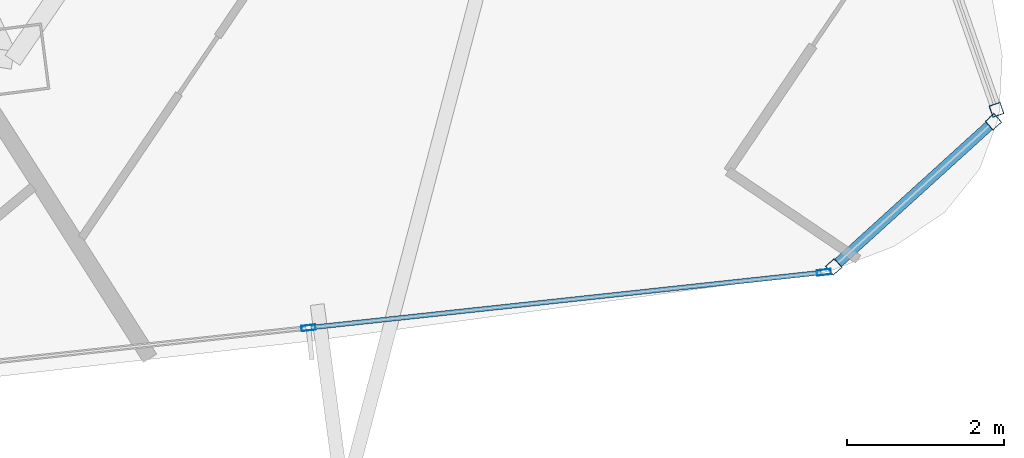
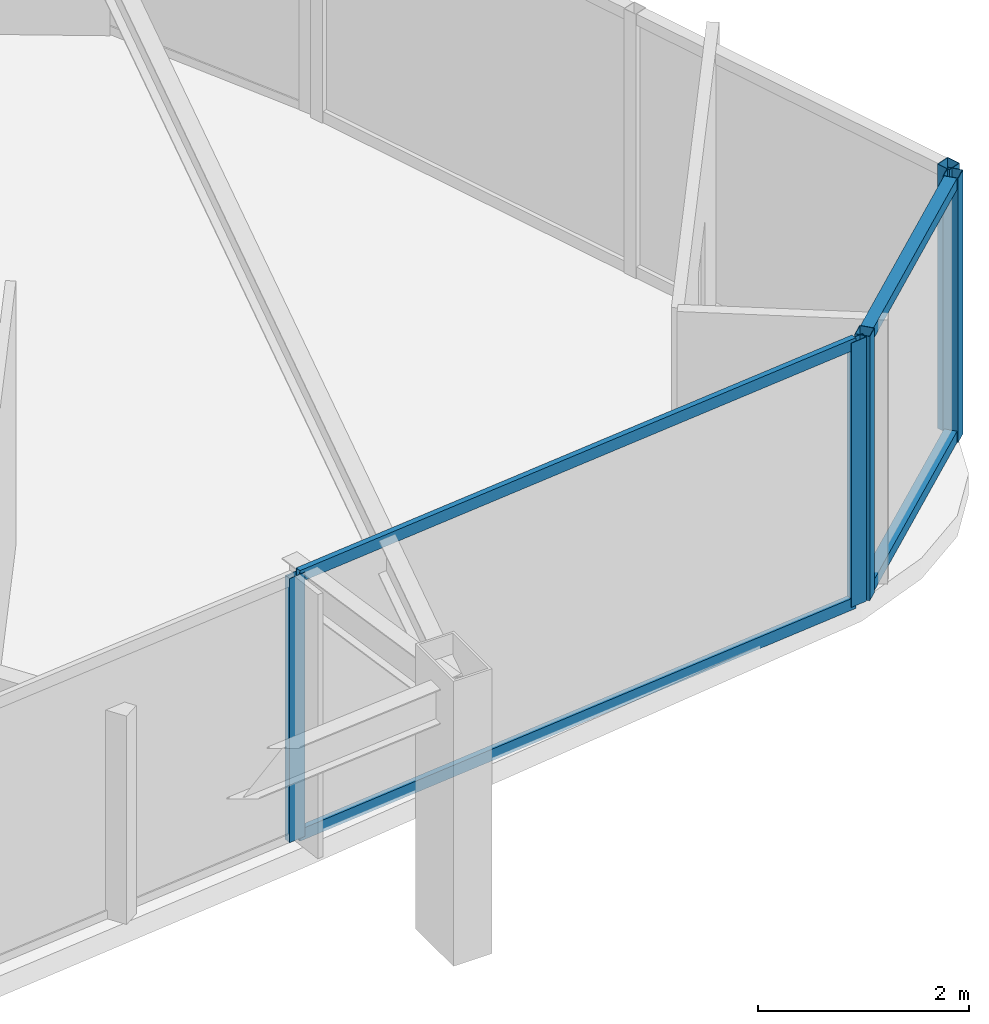
# One storey, part 16 of 38: 9 members, 3 elements without a shape of their own.
"""IFC4 building model written with IfcOpenShell, lengths in metres."""

from ifc_helpers import new_model, si_unit, direction, frame, origin, origin_2d, place, context, subcontext, project, spatial, hollow_rectangle, extrude, material, layer, layer_set, material_profile, profile_set, type_object, element, aggregate, save


model = new_model("IFC4")

# Units and contexts
model_context = context("Model", 3, precision=1e-05, world=origin(), true_north=direction((0.0, 1.0)))
body_context = subcontext(model_context, "Body", "Model", "MODEL_VIEW")
ifc_project = project(units=[si_unit("LENGTHUNIT", "METRE"), si_unit("AREAUNIT", "SQUARE_METRE"), si_unit("VOLUMEUNIT", "CUBIC_METRE"), si_unit("PLANEANGLEUNIT", "RADIAN"), si_unit("MASSUNIT", "GRAM", prefix="KILO")], contexts=[model_context])

# Site, building, storey
site_placement = place(None, origin())
site = spatial("IfcSite", under=ifc_project, at=site_placement, CompositionType="ELEMENT")
building_placement = place(site_placement, origin())
building = spatial("IfcBuilding", under=site, at=building_placement, Name="Orvanel Arch Residences", CompositionType="ELEMENT")
storey_placement = place(building_placement, frame((0.0, 0.0, 46.699951171875)))
storey = spatial("IfcBuildingStorey", under=building, at=storey_placement, Name="L12", CompositionType="ELEMENT", Elevation=46.699951171875)

# Curtain wall, members
ifc_material = material(Name="Bronze-anodised aluminium AA6063-T6", Category="aluminium")
ifc_layer_1 = layer(ifc_material, 0.18994140625)
ifc_layer_set_1 = layer_set([ifc_layer_1], Name="Bronze-anodised aluminium AA6063-T6")
curtain_wall_type_1 = type_object("IfcCurtainWallType", Name="CW5-CRN-SYS", PredefinedType="NOTDEFINED", material=ifc_layer_set_1)
curtain_wall_1_placement = place(storey_placement, origin())
curtain_wall_1 = element("IfcCurtainWall", 1, at=curtain_wall_1_placement, inside=storey, type_object=curtain_wall_type_1, Name="L12 CW5-CRN-SYS Unitised Curtain Wall", PredefinedType="NOTDEFINED")
ifc_material_profile_1 = material_profile(ifc_material, hollow_rectangle(XDim=0.14990234375, YDim=0.14990234375, WallThickness=0.0048828125, at=origin_2d()), Name="ALU150x150x5")
ifc_profile_set_1 = profile_set([ifc_material_profile_1], Name="Bronze-anodised aluminium AA6063-T6")
member_type_1 = type_object("IfcMemberType", Name="MUL-150x150", PredefinedType="MULLION", material=ifc_profile_set_1)
member_1_placement = place(storey_placement, frame((59.515625, 3.70849609375, 0.0), z_axis=(0.0, 0.0, 1.0), x_axis=(-0.672294791472, 0.740283535788, 0.0)))
member_1 = element("IfcMember", 2, at=member_1_placement, type_object=member_type_1, Name="CW-S5 mullion 1", PredefinedType="MULLION", context=body_context, shape_type="SweptSolid", body=[
    extrude(hollow_rectangle(XDim=0.14990234375, YDim=0.14990234375, WallThickness=0.0048828125, at=origin_2d()), origin(), (0.0, 0.0, 1.0), 3.06005859375),
])
member_2_placement = place(storey_placement, frame((61.549560546875, 5.5556640625, 0.0), z_axis=(0.0, 0.0, 1.0), x_axis=(-0.672294791472, 0.740283535788, 0.0)))
member_2 = element("IfcMember", 3, at=member_2_placement, type_object=member_type_1, Name="CW-S5 mullion 2", PredefinedType="MULLION", context=body_context, shape_type="SweptSolid", body=[
    extrude(hollow_rectangle(XDim=0.14990234375, YDim=0.14990234375, WallThickness=0.0048828125, at=origin_2d()), origin(), (0.0, 0.0, 1.0), 3.06005859375),
])

# Curtain wall, member
curtain_wall_2_placement = place(storey_placement, origin())
curtain_wall_2 = element("IfcCurtainWall", 4, at=curtain_wall_2_placement, inside=storey, type_object=curtain_wall_type_1, Name="L12 CW5-CRN-SYS Unitised Curtain Wall", PredefinedType="NOTDEFINED")
member_3_placement = place(storey_placement, frame((61.58837890625, 5.708740234375, 0.0), z_axis=(0.0, 0.0, 1.0), x_axis=(-0.944601133748, -0.328220502288, 0.0)))
member_3 = element("IfcMember", 5, at=member_3_placement, type_object=member_type_1, Name="CW-S5 mullion 1", PredefinedType="MULLION", context=body_context, shape_type="SweptSolid", body=[
    extrude(hollow_rectangle(XDim=0.14990234375, YDim=0.14990234375, WallThickness=0.0048828125, at=origin_2d()), origin(), (0.0, 0.0, 1.0), 3.06005859375),
])
aggregate(curtain_wall_2, [member_3])

# Curtain wall, members
ifc_layer_2 = layer(ifc_material, 0.179931640625)
ifc_layer_set_2 = layer_set([ifc_layer_2], Name="Bronze-anodised aluminium AA6063-T6")
curtain_wall_type_2 = type_object("IfcCurtainWallType", Name="CW2-LOW-SYS", PredefinedType="NOTDEFINED", material=ifc_layer_set_2)
curtain_wall_3_placement = place(storey_placement, origin())
curtain_wall_3 = element("IfcCurtainWall", 6, at=curtain_wall_3_placement, inside=storey, type_object=curtain_wall_type_2, Name="L12 CW2-LOW-SYS Unitised Curtain Wall", PredefinedType="NOTDEFINED")
ifc_material_profile_2 = material_profile(ifc_material, hollow_rectangle(XDim=0.070068359375, YDim=0.179931640625, WallThickness=0.00439453125, at=origin_2d()), Name="ALU180x70x4.5")
ifc_profile_set_2 = profile_set([ifc_material_profile_2], Name="Bronze-anodised aluminium AA6063-T6")
member_type_2 = type_object("IfcMemberType", Name="MUL-180x70", PredefinedType="MULLION", material=ifc_profile_set_2)
member_4_placement = place(storey_placement, frame((52.826904296875, 2.931884765625, 0.0), z_axis=(0.0, 0.0, 1.0), x_axis=(-0.107139659052, 0.994243980851, 0.0)))
member_4 = element("IfcMember", 7, at=member_4_placement, type_object=member_type_2, Name="CW-S2 mullion 3", PredefinedType="MULLION", context=body_context, shape_type="SweptSolid", body=[
    extrude(hollow_rectangle(XDim=0.070068359375, YDim=0.179931640625, WallThickness=0.00439453125, at=origin_2d()), origin(), (0.0, 0.0, 1.0), 3.06005859375),
])
member_5_placement = place(storey_placement, frame((59.39013671875, 3.63916015625, 0.0), z_axis=(0.0, 0.0, 1.0), x_axis=(-0.107139659052, 0.994243980851, 0.0)))
member_5 = element("IfcMember", 8, at=member_5_placement, type_object=member_type_2, Name="CW-S2 mullion 4", PredefinedType="MULLION", context=body_context, shape_type="SweptSolid", body=[
    extrude(hollow_rectangle(XDim=0.070068359375, YDim=0.179931640625, WallThickness=0.00439453125, at=origin_2d()), origin(), (0.0, 0.0, 1.0), 3.06005859375),
])

# Member
ifc_material_profile_3 = material_profile(ifc_material, hollow_rectangle(XDim=0.1298828125, YDim=0.1298828125, WallThickness=0.00439453125, at=origin_2d()), Name="ALU130x130x4.5")
ifc_profile_set_3 = profile_set([ifc_material_profile_3], Name="Bronze-anodised aluminium AA6063-T6")
member_type_3 = type_object("IfcMemberType", Name="TRN-130x130", PredefinedType="USERDEFINED", material=ifc_profile_set_3)
member_6_placement = place(storey_placement, frame((59.571044921875, 3.7587890625, 0.06494140625), z_axis=(0.740267463166, 0.672312489084, 0.0), x_axis=(-0.672312489084, 0.740267463166, 0.0)))
member_6 = element("IfcMember", 9, at=member_6_placement, type_object=member_type_3, Name="CW-S5 transom 1.1", ObjectType="TRANSOM", PredefinedType="USERDEFINED", context=body_context, shape_type="SweptSolid", body=[
    extrude(hollow_rectangle(XDim=0.1298828125, YDim=0.1298828125, WallThickness=0.00439453125, at=origin_2d()), origin(), (0.0, 0.0, 1.0), 2.597412109375),
])

member_7_placement = place(storey_placement, frame((59.571044921875, 3.7587890625, 2.9951171875), z_axis=(0.740267463166, 0.672312489084, 0.0), x_axis=(-0.672312489084, 0.740267463166, 0.0)))
member_7 = element("IfcMember", 10, at=member_7_placement, type_object=member_type_3, Name="CW-S5 transom 1.2", ObjectType="TRANSOM", PredefinedType="USERDEFINED", context=body_context, shape_type="SweptSolid", body=[
    extrude(hollow_rectangle(XDim=0.1298828125, YDim=0.1298828125, WallThickness=0.00439453125, at=origin_2d()), origin(), (0.0, 0.0, 1.0), 2.597412109375),
])

aggregate(curtain_wall_1, [member_1, member_2, member_6, member_7])

ifc_material_profile_4 = material_profile(ifc_material, hollow_rectangle(XDim=0.06005859375, YDim=0.135009765625, WallThickness=0.00390625, at=origin_2d()), Name="ALU135x60x4")
ifc_profile_set_4 = profile_set([ifc_material_profile_4], Name="Bronze-anodised aluminium AA6063-T6")
member_type_4 = type_object("IfcMemberType", Name="TRN-135x60", PredefinedType="USERDEFINED", material=ifc_profile_set_4)
member_8_placement = place(storey_placement, frame((52.86181640625, 2.935791015625, 0.030029296875), z_axis=(0.994244771406, 0.107132322537, 0.0), x_axis=(-0.107132322537, 0.994244771406, 0.0)))
member_8 = element("IfcMember", 11, at=member_8_placement, type_object=member_type_4, Name="CW-S2 transom 3.1", ObjectType="TRANSOM", PredefinedType="USERDEFINED", context=body_context, shape_type="SweptSolid", body=[
    extrude(hollow_rectangle(XDim=0.06005859375, YDim=0.135009765625, WallThickness=0.00390625, at=origin_2d()), origin(), (0.0, 0.0, 1.0), 6.53125),
])

member_9_placement = place(storey_placement, frame((52.86181640625, 2.935791015625, 3.030029296875), z_axis=(0.994244771406, 0.107132322537, 0.0), x_axis=(-0.107132322537, 0.994244771406, 0.0)))
member_9 = element("IfcMember", 12, at=member_9_placement, type_object=member_type_4, Name="CW-S2 transom 3.2", ObjectType="TRANSOM", PredefinedType="USERDEFINED", context=body_context, shape_type="SweptSolid", body=[
    extrude(hollow_rectangle(XDim=0.06005859375, YDim=0.135009765625, WallThickness=0.00390625, at=origin_2d()), origin(), (0.0, 0.0, 1.0), 6.53125),
])

aggregate(curtain_wall_3, [member_4, member_5, member_8, member_9])

save(model, "model.ifc")
